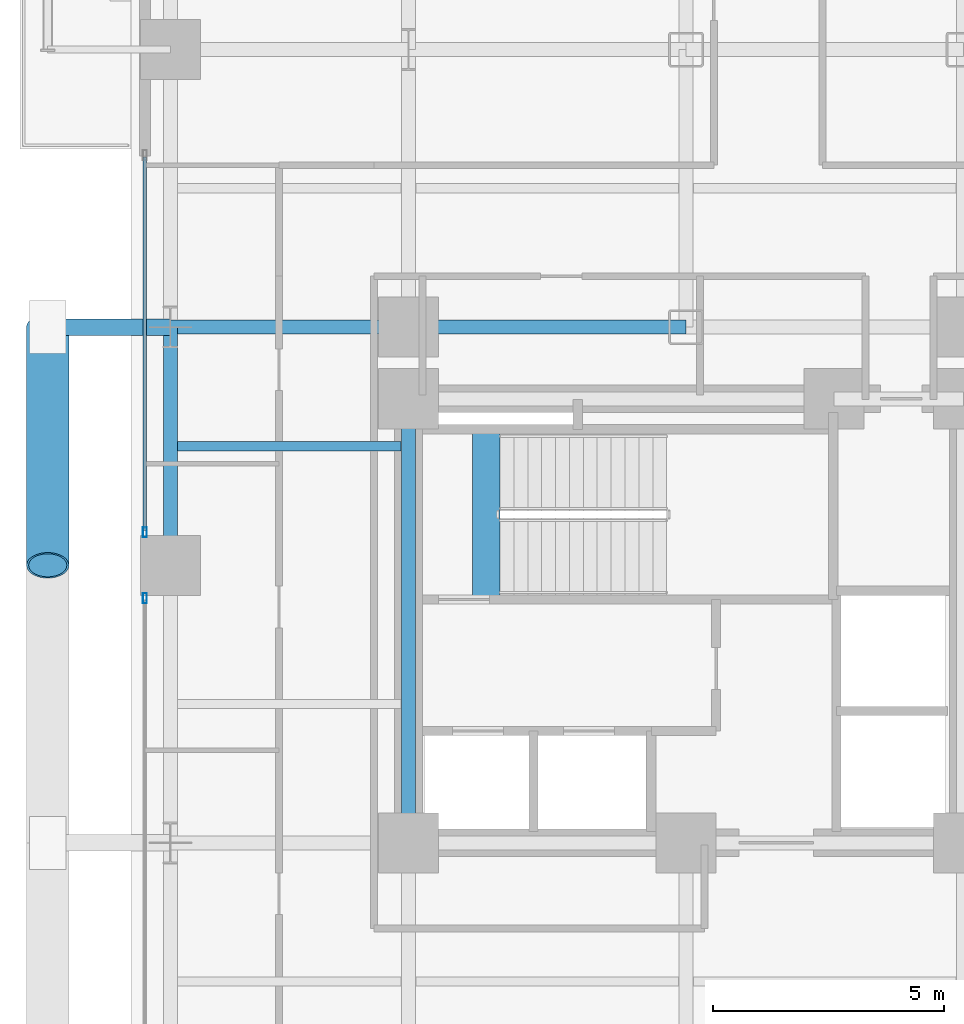
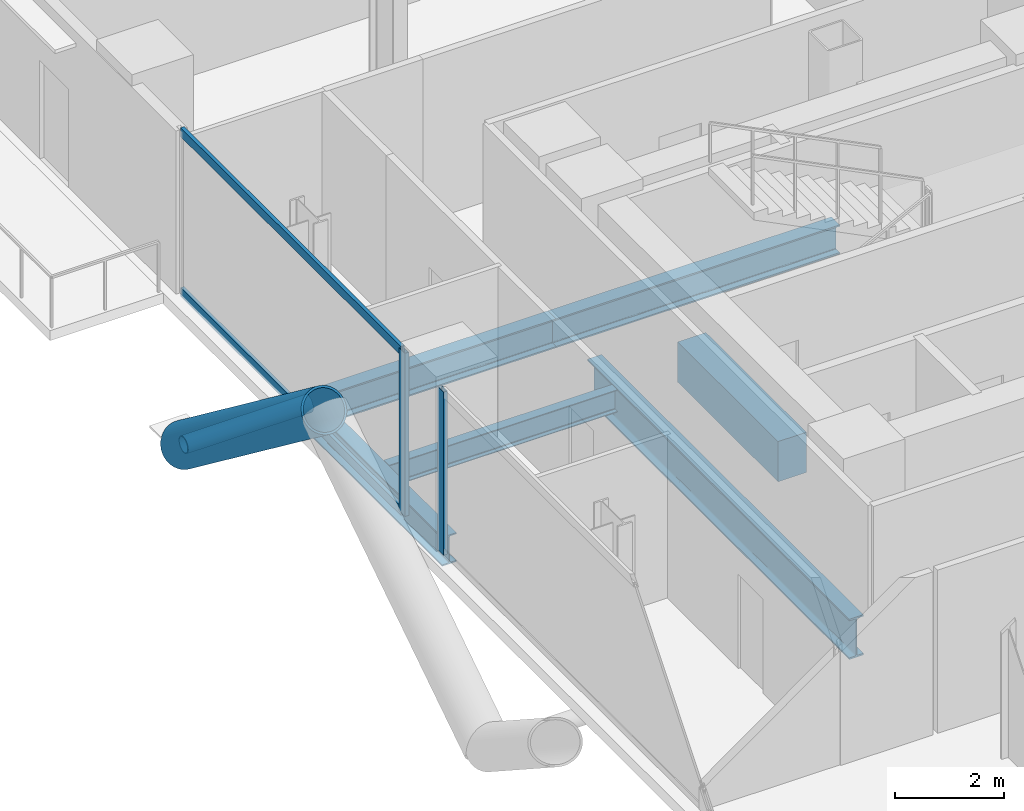
# One storey, part 5 of 27: 6 beams, 6 members, 2 elements without a shape of their own.
"""IFC4 building model written with IfcOpenShell, lengths in metres."""

import ifcopenshell
import ifcopenshell.guid

model = None  # the IFC model being written
_history = None  # IfcOwnerHistory: only IFC2X3 demands one
_inside = {}  # id of a spatial element -> (the spatial element, [elements in it])
_under = {}  # id of a project, library or spatial element -> (it, [spatial elements below it])
_declared = {}  # id of a project -> (the project, [libraries it declares])
_typed = {}  # id of a type object -> (the type object, [elements of that type])
_made_of = {}  # id of a material, layer set ... -> (it, [elements and type objects made of it])


def new_model(schema):
    """Start an empty IFC model of exactly this schema.

    Asked for "IFC4X3", IfcOpenShell would pick the latest addendum, in which some entities
    have other attributes; the version numbers below select the first issue.
    IFC2X3 requires an IfcOwnerHistory on every rooted entity: one is made here for all.
    """
    global model, _history
    if schema == "IFC4X3":
        model = ifcopenshell.file(schema_version=(4, 3, 0, 0))
    else:
        model = ifcopenshell.file(schema=schema)
    _inside.clear()
    _under.clear()
    _declared.clear()
    _typed.clear()
    _made_of.clear()
    _history = None
    if model.schema == "IFC2X3":
        org = make("IfcOrganization", Name="unknown")
        user = make(
            "IfcPersonAndOrganization",
            ThePerson=make("IfcPerson", FamilyName="unknown"),
            TheOrganization=org,
        )
        app = make(
            "IfcApplication",
            ApplicationDeveloper=org,
            Version="unknown",
            ApplicationFullName="unknown",
            ApplicationIdentifier="unknown",
        )
        _history = make(
            "IfcOwnerHistory",
            OwningUser=user,
            OwningApplication=app,
            ChangeAction="ADDED",
            CreationDate=0,
        )
    return model


def make(cls, **values):
    """One entity of the class cls with the attributes given. An attribute that is None is left unset."""
    return model.create_entity(
        cls, **{name: value for name, value in values.items() if value is not None}
    )


def rooted(cls, **values):
    """An entity with a GlobalId (a new one), such as an element, a storey or a relation."""
    return make(cls, GlobalId=ifcopenshell.guid.new(), OwnerHistory=_history, **values)


def si_unit(unit_type, name, prefix=None):
    """IfcSIUnit, for example si_unit("LENGTHUNIT", "METRE", prefix="MILLI")."""
    return make("IfcSIUnit", UnitType=unit_type, Prefix=prefix, Name=name)


def assignment(units):
    """IfcUnitAssignment: the units of a project."""
    return None if units is None else make("IfcUnitAssignment", Units=units)


def point(xyz):
    """IfcCartesianPoint."""
    return None if xyz is None else make("IfcCartesianPoint", Coordinates=xyz)


def direction(xyz):
    """IfcDirection."""
    return None if xyz is None else make("IfcDirection", DirectionRatios=xyz)


def frame(location, z_axis=None, x_axis=None):
    """IfcAxis2Placement3D, a coordinate frame: its origin and axes. An axis left out is left unset."""
    return make(
        "IfcAxis2Placement3D",
        Location=point(location),
        Axis=direction(z_axis),
        RefDirection=direction(x_axis),
    )


def frame_2d(location, x_axis=None):
    """IfcAxis2Placement2D, a coordinate frame in the plane: its origin and x axis."""
    return make(
        "IfcAxis2Placement2D", Location=point(location), RefDirection=direction(x_axis)
    )


def origin():
    """The frame at (0, 0, 0) with its axes left unset."""
    return frame((0.0, 0.0, 0.0))


def origin_2d():
    """The frame at (0, 0) in the plane with its x axis left unset."""
    return frame_2d((0.0, 0.0))


def place(relative_to, where):
    """IfcLocalPlacement: puts the frame where relative to a parent placement (None: the world)."""
    return make(
        "IfcLocalPlacement", PlacementRelTo=relative_to, RelativePlacement=where
    )


def context(
    kind, dimensions, precision=None, world=None, true_north=None, identifier=None
):
    """IfcGeometricRepresentationContext, for example the 3D "Model" context."""
    return make(
        "IfcGeometricRepresentationContext",
        ContextIdentifier=identifier,
        ContextType=kind,
        CoordinateSpaceDimension=dimensions,
        Precision=precision,
        WorldCoordinateSystem=world,
        TrueNorth=true_north,
    )


def subcontext(parent, identifier, kind, view, scale=None):
    """IfcGeometricRepresentationSubContext, for example "Body" below "Model"."""
    return make(
        "IfcGeometricRepresentationSubContext",
        ContextIdentifier=identifier,
        ContextType=kind,
        ParentContext=parent,
        TargetScale=scale,
        TargetView=view,
    )


def project(units=None, contexts=None):
    """IfcProject with its units and contexts."""
    return rooted(
        "IfcProject",
        Name="project",
        RepresentationContexts=contexts,
        UnitsInContext=assignment(units),
    )


def spatial(cls, under=None, at=None, **own):
    """A site, building, storey or space (cls), placed at a placement, below another one or the project."""
    s = rooted(cls, ObjectPlacement=at, **own)
    if under is not None:
        _under.setdefault(under.id(), (under, []))[1].append(s)
    return s


def profile(cls, at=None, kind="AREA", **sizes):
    """A parametric profile (cls). Its sizes go by their IFC names, for example OverallWidth=200.0."""
    return make(cls, ProfileType=kind, Position=at, **sizes)


def rectangle(**sizes):
    """IfcRectangleProfileDef."""
    return profile("IfcRectangleProfileDef", **sizes)


def hollow_rectangle(**sizes):
    """IfcRectangleHollowProfileDef."""
    return profile("IfcRectangleHollowProfileDef", **sizes)


def hollow_circle(**sizes):
    """IfcCircleHollowProfileDef."""
    return profile("IfcCircleHollowProfileDef", **sizes)


def i_section(**sizes):
    """IfcIShapeProfileDef."""
    return profile("IfcIShapeProfileDef", **sizes)


def extrude(swept, where, along, depth):
    """IfcExtrudedAreaSolid: the profile swept, set in the frame where, extruded along a direction by depth."""
    return make(
        "IfcExtrudedAreaSolid",
        SweptArea=swept,
        Position=where,
        ExtrudedDirection=direction(along),
        Depth=depth,
    )


def shape(context_of_items, identifier, shape_type, items):
    """IfcShapeRepresentation: the items that make up one representation, for example the "Body"."""
    return make(
        "IfcShapeRepresentation",
        ContextOfItems=context_of_items,
        RepresentationIdentifier=identifier,
        RepresentationType=shape_type,
        Items=items,
    )


def material(Name=None, Category=None):
    """IfcMaterial."""
    return make("IfcMaterial", Name=Name, Category=Category)


def layer(
    of_material, thickness, ventilated=None, Name=None, Category=None, Priority=None
):
    """IfcMaterialLayer: one layer of a wall or slab, of a material (None: an air gap)."""
    return make(
        "IfcMaterialLayer",
        Material=of_material,
        LayerThickness=thickness,
        IsVentilated=ventilated,
        Name=Name,
        Category=Category,
        Priority=Priority,
    )


def layer_set(layers, Name=None):
    """IfcMaterialLayerSet."""
    return make("IfcMaterialLayerSet", MaterialLayers=layers, LayerSetName=Name)


def material_profile(
    of_material, cross_section, Name=None, Category=None, Priority=None
):
    """IfcMaterialProfile: a cross section and its material."""
    return make(
        "IfcMaterialProfile",
        Name=Name,
        Material=of_material,
        Profile=cross_section,
        Priority=Priority,
        Category=Category,
    )


def profile_set(profiles, Name=None, composite=None):
    """IfcMaterialProfileSet."""
    return make(
        "IfcMaterialProfileSet",
        Name=Name,
        MaterialProfiles=profiles,
        CompositeProfile=composite,
    )


def made_of(thing, what):
    """Note that an element or type object is made of a material, layer set ...; save() writes the relation."""
    if what is not None:
        _made_of.setdefault(what.id(), (what, []))[1].append(thing)
    return thing


def type_object(cls, material=None, **own):
    """A type object (cls), such as IfcWallType, which elements share."""
    return made_of(rooted(cls, **own), material)


def element(
    cls,
    number,
    at=None,
    inside=None,
    cuts=None,
    type_object=None,
    material=None,
    context=None,
    identifier="Body",
    shape_type=None,
    held_by="IfcProductDefinitionShape",
    body=None,
    shapes=None,
    **own,
):
    """One element of the class cls, such as IfcWall. Its Tag is "e" and its number.

    at: its placement. inside: the storey or other place that contains it. cuts: it is an
    opening in that element (IfcRelVoidsElement). A single representation is given by context,
    identifier, shape_type and body (its items); several are given by shapes. held_by: the class
    of the entity that holds the representations. save() writes the other relations.
    """
    e = rooted(cls, Tag="e%d" % number, ObjectPlacement=at, **own)
    if body is not None:
        shapes = [shape(context, identifier, shape_type, body)]
    if shapes is not None:
        e.Representation = make(held_by, Representations=shapes)
    if inside is not None:
        _inside.setdefault(inside.id(), (inside, []))[1].append(e)
    if cuts is not None:
        rooted(
            "IfcRelVoidsElement", RelatingBuildingElement=cuts, RelatedOpeningElement=e
        )
    if type_object is not None:
        _typed.setdefault(type_object.id(), (type_object, []))[1].append(e)
    return made_of(e, material)


def aggregate(whole, parts):
    """IfcRelAggregates: a whole, such as a stair, and the parts it consists of."""
    return rooted("IfcRelAggregates", RelatingObject=whole, RelatedObjects=parts)


def save(model, path):
    """Write the relations noted so far, then the file.

    IfcRelAggregates (storeys below a building ...), IfcRelContainedInSpatialStructure (elements
    in a storey), IfcRelDefinesByType, IfcRelAssociatesMaterial and IfcRelDeclares: one each for
    every whole, place, type object, material and project.
    """
    for whole, parts in _under.values():
        aggregate(whole, parts)
    for where, things in _inside.values():
        rooted(
            "IfcRelContainedInSpatialStructure",
            RelatedElements=things,
            RelatingStructure=where,
        )
    for kind, things in _typed.values():
        rooted("IfcRelDefinesByType", RelatedObjects=things, RelatingType=kind)
    for what, things in _made_of.values():
        rooted("IfcRelAssociatesMaterial", RelatedObjects=things, RelatingMaterial=what)
    for by, libraries in _declared.values():
        rooted("IfcRelDeclares", RelatingContext=by, RelatedDefinitions=libraries)
    model.write(path)


model = new_model("IFC4")

# Units and contexts
model_context = context("Model", 3, precision=1e-05, world=origin(), true_north=direction((0.0, 1.0)))
body_context = subcontext(model_context, "Body", "Model", "MODEL_VIEW")
ifc_project = project(units=[si_unit("LENGTHUNIT", "METRE"), si_unit("AREAUNIT", "SQUARE_METRE"), si_unit("VOLUMEUNIT", "CUBIC_METRE"), si_unit("PLANEANGLEUNIT", "RADIAN"), si_unit("MASSUNIT", "GRAM", prefix="KILO"), si_unit("THERMODYNAMICTEMPERATUREUNIT", "KELVIN"), si_unit("POWERUNIT", "WATT")], contexts=[model_context])

# Site, building, storey
site_placement = place(None, origin())
site = spatial("IfcSite", under=ifc_project, at=site_placement, CompositionType="ELEMENT")
building_placement = place(site_placement, origin())
building = spatial("IfcBuilding", under=site, at=building_placement, Name="Svarakhadi Broadcast Tower", CompositionType="ELEMENT")
storey_placement = place(building_placement, frame((0.0, 0.0, 40.199951171875)))
storey = spatial("IfcBuildingStorey", under=building, at=storey_placement, Name="L08", CompositionType="ELEMENT", Elevation=40.199951171875)

# Beam
ifc_material_1 = material(Name="Steel S355J2 (IS 2062 E350C)", Category="steel")
ifc_material_profile_1 = material_profile(ifc_material_1, i_section(OverallWidth=0.199951171875, OverallDepth=0.5, WebThickness=0.01025390625, FlangeThickness=0.01611328125, FilletRadius=0.02099609375, at=origin_2d()), Name="NPB 500x200x91")
ifc_profile_set_1 = profile_set([ifc_material_profile_1], Name="Steel S355J2 (IS 2062 E350C)")
beam_type_1 = type_object("IfcBeamType", Name="Beam_NPB500", PredefinedType="BEAM", material=ifc_profile_set_1)
beam_1_placement = place(storey_placement, frame((1.010009765625, 26.574951171875, -0.5), z_axis=(1.0, 0.0, 0.0), x_axis=(0.0, 1.0, 0.0)))
element("IfcBeam", 1, at=beam_1_placement, inside=storey, type_object=beam_type_1, Name="L08 Secondary Composite Beam SB004", PredefinedType="BEAM", context=body_context, shape_type="SweptSolid", body=[
    extrude(i_section(OverallWidth=0.199951171875, OverallDepth=0.5, WebThickness=0.01025390625, FlangeThickness=0.01611328125, FilletRadius=0.02099609375, at=origin_2d()), origin(), (0.0, 0.0, 1.0), 4.830078125),
])

# Curtain wall, member
ifc_material_2 = material(Name="Anodised Bronze Aluminium AA 6063-T6", Category="aluminium")
ifc_layer = layer(ifc_material_2, 0.219970703125)
ifc_layer_set = layer_set([ifc_layer], Name="Anodised Bronze Aluminium AA 6063-T6")
curtain_wall_type = type_object("IfcCurtainWallType", Name="CW_Sys_02", PredefinedType="NOTDEFINED", material=ifc_layer_set)
curtain_wall_1_placement = place(storey_placement, origin())
curtain_wall_1 = element("IfcCurtainWall", 2, at=curtain_wall_1_placement, inside=storey, type_object=curtain_wall_type, Name="L08 West Curtain Wall 02 Bay 2", PredefinedType="NOTDEFINED")
ifc_material_profile_2 = material_profile(ifc_material_2, hollow_rectangle(XDim=0.0849609375, YDim=0.219970703125, WallThickness=0.006103515625, at=origin_2d()), Name="ALU MULLION 220x85x6")
ifc_profile_set_2 = profile_set([ifc_material_profile_2], Name="Anodised Bronze Aluminium AA 6063-T6")
member_type_1 = type_object("IfcMemberType", Name="CW_Sys_02_Mul", PredefinedType="MULLION", material=ifc_profile_set_2)
member_1_placement = place(storey_placement, frame((0.300048828125, 23.28759765625, 0.0), z_axis=(0.0, 0.0, 1.0), x_axis=(-1.0, 0.0, 0.0)))
member_1 = element("IfcMember", 3, at=member_1_placement, type_object=member_type_1, Name="CW-02 mullion 2", PredefinedType="MULLION", context=body_context, shape_type="SweptSolid", body=[
    extrude(hollow_rectangle(XDim=0.0849609375, YDim=0.219970703125, WallThickness=0.006103515625, at=origin_2d()), origin(), (0.0, 0.0, 1.0), 3.650146484375),
])
aggregate(curtain_wall_1, [member_1])

# Curtain wall, members
curtain_wall_2_placement = place(storey_placement, origin())
curtain_wall_2 = element("IfcCurtainWall", 4, at=curtain_wall_2_placement, inside=storey, type_object=curtain_wall_type, Name="L08 West Curtain Wall 02 Bay 3", PredefinedType="NOTDEFINED")
member_2_placement = place(storey_placement, frame((0.300048828125, 24.71240234375, 0.0), z_axis=(0.0, 0.0, 1.0), x_axis=(-1.0, 0.0, 0.0)))
member_2 = element("IfcMember", 5, at=member_2_placement, type_object=member_type_1, Name="CW-02 mullion 1", PredefinedType="MULLION", context=body_context, shape_type="SweptSolid", body=[
    extrude(hollow_rectangle(XDim=0.0849609375, YDim=0.219970703125, WallThickness=0.006103515625, at=origin_2d()), origin(), (0.0, 0.0, 1.0), 3.650146484375),
])
ifc_material_profile_3 = material_profile(ifc_material_2, hollow_rectangle(XDim=0.074951171875, YDim=0.199951171875, WallThickness=0.0048828125, at=origin_2d()), Name="ALU TRANSOM 200x75x5")
ifc_profile_set_3 = profile_set([ifc_material_profile_3], Name="Anodised Bronze Aluminium AA 6063-T6")
member_type_2 = type_object("IfcMemberType", Name="CW_Sys_02_Trn", PredefinedType="USERDEFINED", material=ifc_profile_set_3)
member_3_placement = place(storey_placement, frame((0.300048828125, 24.7548828125, 0.03759765625), z_axis=(0.0, 1.0, 0.0), x_axis=(-1.0, 0.0, 0.0)))
member_3 = element("IfcMember", 6, at=member_3_placement, type_object=member_type_2, Name="CW-02 transom 1.1", ObjectType="TRANSOM", PredefinedType="USERDEFINED", context=body_context, shape_type="SweptSolid", body=[
    extrude(hollow_rectangle(XDim=0.074951171875, YDim=0.199951171875, WallThickness=0.0048828125, at=origin_2d()), origin(), (0.0, 0.0, 1.0), 8.070068359375),
])
member_4_placement = place(storey_placement, frame((0.300048828125, 24.7548828125, 3.612548828125), z_axis=(0.0, 1.0, 0.0), x_axis=(-1.0, 0.0, 0.0)))
member_4 = element("IfcMember", 7, at=member_4_placement, type_object=member_type_2, Name="CW-02 transom 1.2", ObjectType="TRANSOM", PredefinedType="USERDEFINED", context=body_context, shape_type="SweptSolid", body=[
    extrude(hollow_rectangle(XDim=0.074951171875, YDim=0.199951171875, WallThickness=0.0048828125, at=origin_2d()), origin(), (0.0, 0.0, 1.0), 8.070068359375),
])
aggregate(curtain_wall_2, [member_2, member_3, member_4])

# Beam
ifc_material_3 = material(Name="Concrete C50/60 (IS 456 M60)", Category="concrete")
ifc_material_profile_4 = material_profile(ifc_material_3, rectangle(XDim=0.60009765625, YDim=0.89990234375, at=origin_2d()), Name="RC 600x900")
ifc_profile_set_4 = profile_set([ifc_material_profile_4], Name="Concrete C50/60 (IS 456 M60)")
beam_type_2 = type_object("IfcBeamType", Name="Coupling_RC600", PredefinedType="USERDEFINED", material=ifc_profile_set_4)
beam_2_placement = place(storey_placement, frame((7.679931640625, 23.260009765625, -0.449951171875), z_axis=(0.0, 1.0, 0.0), x_axis=(-1.0, 0.0, 0.0)))
element("IfcBeam", 8, at=beam_2_placement, inside=storey, type_object=beam_type_2, Name="L08 Stair ST-01 Landing Throat Trimmer Beam CB-01", ObjectType="GIRDER", PredefinedType="USERDEFINED", context=body_context, shape_type="SweptSolid", body=[
    extrude(rectangle(XDim=0.60009765625, YDim=0.89990234375, at=origin_2d()), origin(), (0.0, 0.0, 1.0), 3.679931640625),
])

# Members
ifc_material_4 = material(Name="Steel S460ML (IS 2062 E450BR)", Category="steel")
ifc_material_profile_5 = material_profile(ifc_material_4, hollow_circle(Radius=0.45703125, WallThickness=0.044921875, at=origin_2d()), Name="CHS 914x45")
ifc_profile_set_5 = profile_set([ifc_material_profile_5], Name="Steel S460ML (IS 2062 E450BR)")
member_type_3 = type_object("IfcMemberType", Name="Exo_Brace_CHS914", PredefinedType="BRACE", material=ifc_profile_set_5)
member_5_placement = place(storey_placement, frame((-1.800048828125, 29.14990234375, -0.427734375), z_axis=(0.0, -0.797206791841, 0.603706328476), x_axis=(1.0, 0.0, 0.0)))
element("IfcMember", 9, at=member_5_placement, inside=storey, type_object=member_type_3, Name="L08 Exposed Bronze Exoskeleton Diagonal W09", PredefinedType="BRACE", context=body_context, shape_type="SweptSolid", body=[
    extrude(hollow_circle(Radius=0.45703125, WallThickness=0.044921875, at=origin_2d()), origin(), (0.0, 0.0, 1.0), 6.4599609375),
])
ifc_material_profile_6 = material_profile(ifc_material_4, hollow_circle(Radius=0.177734375, WallThickness=0.02001953125, at=origin_2d()), Name="CHS 355.6x20")
ifc_profile_set_6 = profile_set([ifc_material_profile_6], Name="Steel S460ML (IS 2062 E450BR)")
member_type_4 = type_object("IfcMemberType", Name="Exo_Radial_Strut_Z1", PredefinedType="STRUT", material=ifc_profile_set_6)
member_6_placement = place(storey_placement, frame((-1.800048828125, 29.14990234375, -0.427734375), z_axis=(1.0, 0.0, 0.0), x_axis=(0.0, 1.0, 0.0)))
element("IfcMember", 10, at=member_6_placement, inside=storey, type_object=member_type_4, Name="L08 Exoskeleton Radial Tie Strut W07", PredefinedType="STRUT", context=body_context, shape_type="SweptSolid", body=[
    extrude(hollow_circle(Radius=0.177734375, WallThickness=0.02001953125, at=origin_2d()), origin(), (0.0, 0.0, 1.0), 2.650146484375),
])

# Beams
ifc_material_profile_7 = material_profile(ifc_material_1, i_section(OverallWidth=0.300048828125, OverallDepth=0.64990234375, WebThickness=0.01611328125, FlangeThickness=0.031005859375, FilletRadius=0.027099609375, at=origin_2d()), Name="WPB 650x300x225")
ifc_profile_set_7 = profile_set([ifc_material_profile_7], Name="Steel S355J2 (IS 2062 E350C)")
beam_type_3 = type_object("IfcBeamType", Name="Girder_WPB650", PredefinedType="USERDEFINED", material=ifc_profile_set_7)
beam_3_placement = place(storey_placement, frame((0.85009765625, 29.14990234375, -0.574951171875), z_axis=(1.0, 0.0, 0.0), x_axis=(0.0, 1.0, 0.0)))
element("IfcBeam", 11, at=beam_3_placement, inside=storey, type_object=beam_type_3, Name="L08 Primary E-W Girder G034", ObjectType="GIRDER", PredefinedType="USERDEFINED", context=body_context, shape_type="SweptSolid", body=[
    extrude(i_section(OverallWidth=0.300048828125, OverallDepth=0.64990234375, WebThickness=0.01611328125, FlangeThickness=0.031005859375, FilletRadius=0.027099609375, at=origin_2d()), origin(), (0.0, 0.0, 1.0), 5.14990234375),
])
beam_4_placement = place(storey_placement, frame((6.0, 29.14990234375, -0.574951171875), z_axis=(1.0, 0.0, 0.0), x_axis=(0.0, 1.0, 0.0)))
element("IfcBeam", 12, at=beam_4_placement, inside=storey, type_object=beam_type_3, Name="L08 Primary E-W Girder G035", ObjectType="GIRDER", PredefinedType="USERDEFINED", context=body_context, shape_type="SweptSolid", body=[
    extrude(i_section(OverallWidth=0.300048828125, OverallDepth=0.64990234375, WebThickness=0.01611328125, FlangeThickness=0.031005859375, FilletRadius=0.027099609375, at=origin_2d()), origin(), (0.0, 0.0, 1.0), 6.0),
])
beam_5_placement = place(storey_placement, frame((0.85009765625, 24.0, -0.574951171875), z_axis=(0.0, 1.0, 0.0), x_axis=(-1.0, 0.0, 0.0)))
element("IfcBeam", 13, at=beam_5_placement, inside=storey, type_object=beam_type_3, Name="L08 Primary N-S Girder G048", ObjectType="GIRDER", PredefinedType="USERDEFINED", context=body_context, shape_type="SweptSolid", body=[
    extrude(i_section(OverallWidth=0.300048828125, OverallDepth=0.64990234375, WebThickness=0.01611328125, FlangeThickness=0.031005859375, FilletRadius=0.027099609375, at=origin_2d()), origin(), (0.0, 0.0, 1.0), 5.14990234375),
])
ifc_material_profile_8 = material_profile(ifc_material_4, i_section(OverallWidth=0.300048828125, OverallDepth=0.89990234375, WebThickness=0.0185546875, FlangeThickness=0.034912109375, FilletRadius=0.030029296875, at=origin_2d()), Name="WPB 900x300x291")
ifc_profile_set_8 = profile_set([ifc_material_profile_8], Name="Steel S460ML (IS 2062 E450BR)")
beam_type_4 = type_object("IfcBeamType", Name="Girder_WPB900", PredefinedType="USERDEFINED", material=ifc_profile_set_8)
beam_6_placement = place(storey_placement, frame((6.0, 18.0, -0.699951171875), z_axis=(0.0, 1.0, 0.0), x_axis=(-1.0, 0.0, 0.0)))
element("IfcBeam", 14, at=beam_6_placement, inside=storey, type_object=beam_type_4, Name="L08 Primary N-S Girder G054", ObjectType="GIRDER", PredefinedType="USERDEFINED", context=body_context, shape_type="SweptSolid", body=[
    extrude(i_section(OverallWidth=0.300048828125, OverallDepth=0.89990234375, WebThickness=0.0185546875, FlangeThickness=0.034912109375, FilletRadius=0.030029296875, at=origin_2d()), origin(), (0.0, 0.0, 1.0), 9.60009765625),
])

save(model, "model.ifc")
